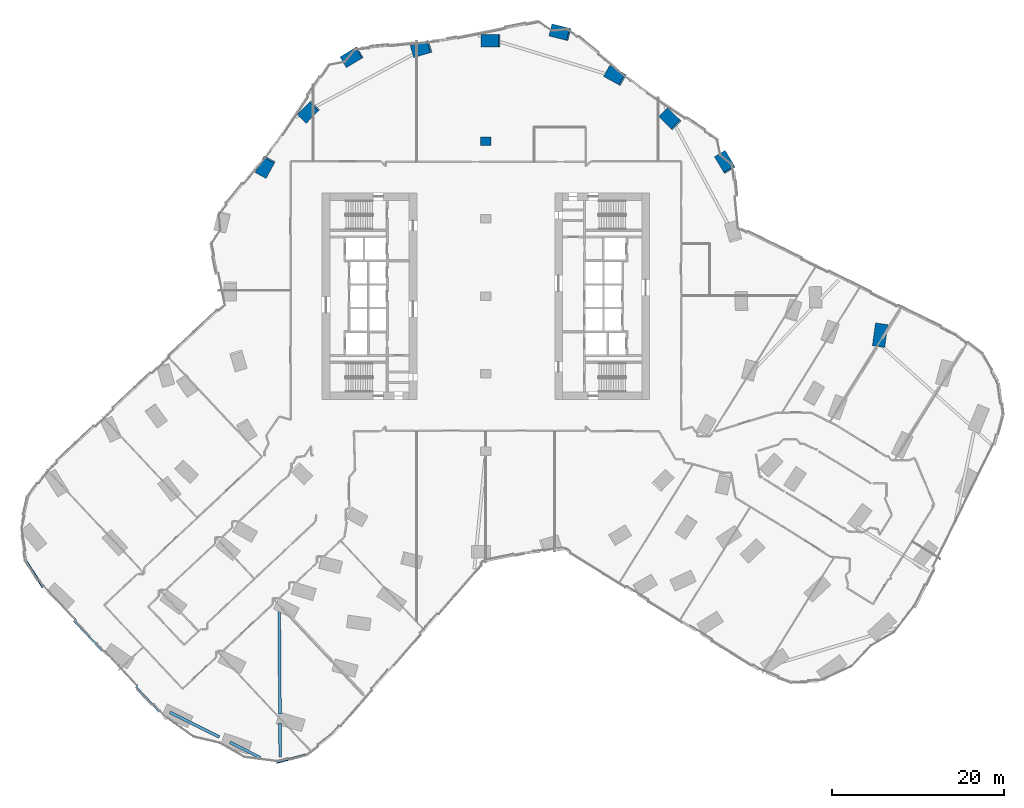
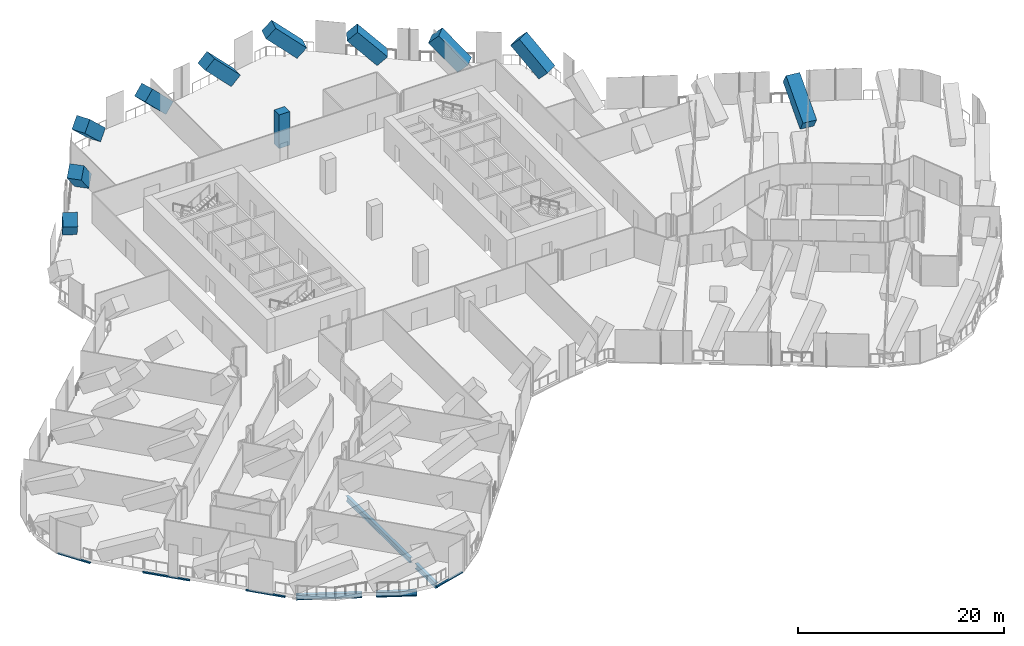
# One storey, part 2 of 31: 11 columns, 4 beams, 4 members, 3 elements without a shape of their own.
"""IFC4 building model written with IfcOpenShell, lengths in metres."""

from ifc_helpers import new_model, si_unit, direction, frame, origin, origin_2d, place, context, subcontext, project, spatial, rectangle, i_section, extrude, material, material_profile, profile_set, type_object, element, aggregate, save


model = new_model("IFC4")

# Units and contexts
model_context = context("Model", 3, precision=1e-05, world=origin(), true_north=direction((0.0, 1.0)))
body_context = subcontext(model_context, "Body", "Model", "MODEL_VIEW")
ifc_project = project(units=[si_unit("LENGTHUNIT", "METRE"), si_unit("AREAUNIT", "SQUARE_METRE"), si_unit("VOLUMEUNIT", "CUBIC_METRE"), si_unit("PLANEANGLEUNIT", "RADIAN"), si_unit("MASSUNIT", "GRAM", prefix="KILO")], contexts=[model_context])

# Site, building, storey
site_placement = place(None, origin())
site = spatial("IfcSite", under=ifc_project, at=site_placement, CompositionType="ELEMENT")
building_placement = place(site_placement, origin())
building = spatial("IfcBuilding", under=site, at=building_placement, Name="Orlundy Tower", CompositionType="ELEMENT")
storey_placement = place(building_placement, frame((0.0, 0.0, 54.800048828125)))
storey = spatial("IfcBuildingStorey", under=building, at=storey_placement, Name="L12", CompositionType="ELEMENT", Elevation=54.800048828125)

# Columns
ifc_material_1 = material(Name="Concrete C80/95", Category="concrete")
ifc_material_profile_1 = material_profile(ifc_material_1, rectangle(XDim=1.199951171875, YDim=1.0, at=origin_2d()), Name="RC1200X1000")
ifc_profile_set_1 = profile_set([ifc_material_profile_1], Name="Concrete C80/95")
column_type_1 = type_object("IfcColumnType", Name="RC COLUMN RC1200X1000 C80/95", PredefinedType="COLUMN", material=ifc_profile_set_1)
column_1_placement = place(storey_placement, frame((0.0, 18.0, 0.0), z_axis=(0.0, 0.0, 1.0), x_axis=(1.0, 0.0, 0.0)))
element("IfcColumn", 1, at=column_1_placement, inside=storey, type_object=column_type_1, Name="Column C-M5 L12", PredefinedType="COLUMN", context=body_context, shape_type="SweptSolid", body=[
    extrude(rectangle(XDim=1.199951171875, YDim=1.0, at=origin_2d()), origin(), (0.0, 0.0, 1.0), 4.0),
])
ifc_material_2 = material(Name="Concrete C80/95", Category="concrete")
ifc_material_profile_2 = material_profile(ifc_material_2, rectangle(XDim=1.449951171875, YDim=1.449951171875, at=origin_2d()), Name="RC1450X1450")
ifc_profile_set_2 = profile_set([ifc_material_profile_2], Name="Concrete C80/95")
column_type_2 = type_object("IfcColumnType", Name="RC COLUMN RC1450X1450 C80/95", PredefinedType="COLUMN", material=ifc_profile_set_2)
column_2_placement = place(storey_placement, frame((45.60400390625, -5.47802734375, 0.614501953125), z_axis=(0.118141081309, 0.839329969429, 0.530629708295), x_axis=(-0.990238625022, 0.139382443348, 0.0)))
element("IfcColumn", 2, at=column_2_placement, inside=storey, type_object=column_type_2, Name="Column C-A5-2 L12 strut", PredefinedType="COLUMN", context=body_context, shape_type="SweptSolid", body=[
    extrude(rectangle(XDim=1.449951171875, YDim=1.449951171875, at=origin_2d()), origin(), (0.0, 0.0, 1.0), 5.22216796875),
])
column_3_placement = place(storey_placement, frame((28.053955078125, 15.02099609375, 0.529541015625), z_axis=(-0.376150796059, 0.626275485165, 0.682854007315), x_axis=(-0.857260034443, -0.514883708566, 0.0)))
element("IfcColumn", 3, at=column_3_placement, inside=storey, type_object=column_type_2, Name="Column C-H01 L12 strut", PredefinedType="COLUMN", context=body_context, shape_type="SweptSolid", body=[
    extrude(rectangle(XDim=1.449951171875, YDim=1.449951171875, at=origin_2d()), origin(), (0.0, 0.0, 1.0), 4.306396484375),
])
column_4_placement = place(storey_placement, frame((-25.31298828125, 15.4951171875, 0.50830078125), z_axis=(-0.336025835882, -0.61545416164, 0.71295358372), x_axis=(0.877701520343, -0.479207722379, 0.0)))
element("IfcColumn", 4, at=column_4_placement, inside=storey, type_object=column_type_2, Name="Column C-H17 L12 strut", PredefinedType="COLUMN", context=body_context, shape_type="SweptSolid", body=[
    extrude(rectangle(XDim=1.449951171875, YDim=1.449951171875, at=origin_2d()), origin(), (0.0, 0.0, 1.0), 4.184326171875),
])
column_5_placement = place(storey_placement, frame((-20.1669921875, 21.77392578125, 0.50830078125), z_axis=(-0.490424057431, -0.501160289027, 0.712967466716), x_axis=(0.714720981693, -0.699409692761, 0.0)))
element("IfcColumn", 5, at=column_5_placement, inside=storey, type_object=column_type_2, Name="Column C-H18 L12 strut", PredefinedType="COLUMN", context=body_context, shape_type="SweptSolid", body=[
    extrude(rectangle(XDim=1.449951171875, YDim=1.449951171875, at=origin_2d()), origin(), (0.0, 0.0, 1.0), 4.18408203125),
])
column_6_placement = place(storey_placement, frame((-15.02099609375, 28.053955078125, 0.529541015625), z_axis=(-0.626275485165, -0.376150796059, 0.682854007315), x_axis=(0.514883708566, -0.857260034443, 0.0)))
element("IfcColumn", 6, at=column_6_placement, inside=storey, type_object=column_type_2, Name="Column C-H19 L12 strut", PredefinedType="COLUMN", context=body_context, shape_type="SweptSolid", body=[
    extrude(rectangle(XDim=1.449951171875, YDim=1.449951171875, at=origin_2d()), origin(), (0.0, 0.0, 1.0), 4.306396484375),
])
column_7_placement = place(storey_placement, frame((-6.94189453125, 28.85595703125, 0.508544921875), z_axis=(-0.672955189678, -0.197598545942, 0.712801604464), x_axis=(0.281733966191, -0.959492559791, 0.0)))
element("IfcColumn", 7, at=column_7_placement, inside=storey, type_object=column_type_2, Name="Column C-H20 L12 strut", PredefinedType="COLUMN", context=body_context, shape_type="SweptSolid", body=[
    extrude(rectangle(XDim=1.449951171875, YDim=1.449951171875, at=origin_2d()), origin(), (0.0, 0.0, 1.0), 4.184814453125),
])
column_8_placement = place(storey_placement, frame((1.135986328125, 29.656982421875, 0.50830078125), z_axis=(-0.701048970737, -0.007877610375, 0.713069620643), x_axis=(0.011236180934, -0.999936872126, 0.0)))
element("IfcColumn", 8, at=column_8_placement, inside=storey, type_object=column_type_2, Name="Column C-H21 L12 strut", PredefinedType="COLUMN", context=body_context, shape_type="SweptSolid", body=[
    extrude(rectangle(XDim=1.449951171875, YDim=1.449951171875, at=origin_2d()), origin(), (0.0, 0.0, 1.0), 4.183837890625),
])
column_9_placement = place(storey_placement, frame((9.215087890625, 30.458984375, 0.529541015625), z_axis=(-0.708756376313, 0.176721352289, 0.682959707948), x_axis=(-0.241932903281, -0.970292981686, 0.0)))
element("IfcColumn", 9, at=column_9_placement, inside=storey, type_object=column_type_2, Name="Column C-H22 L12 strut", PredefinedType="COLUMN", context=body_context, shape_type="SweptSolid", body=[
    extrude(rectangle(XDim=1.449951171875, YDim=1.449951171875, at=origin_2d()), origin(), (0.0, 0.0, 1.0), 4.30615234375),
])
column_10_placement = place(storey_placement, frame((15.4951171875, 25.31298828125, 0.50830078125), z_axis=(-0.61545416164, 0.336025835882, 0.71295358372), x_axis=(-0.479207722379, -0.877701520343, 0.0)))
element("IfcColumn", 10, at=column_10_placement, inside=storey, type_object=column_type_2, Name="Column C-H23 L12 strut", PredefinedType="COLUMN", context=body_context, shape_type="SweptSolid", body=[
    extrude(rectangle(XDim=1.449951171875, YDim=1.449951171875, at=origin_2d()), origin(), (0.0, 0.0, 1.0), 4.184326171875),
])
column_11_placement = place(storey_placement, frame((21.77392578125, 20.1669921875, 0.50830078125), z_axis=(-0.501160289027, 0.490424057431, 0.712967466716), x_axis=(-0.699409692761, -0.714720981693, 0.0)))
element("IfcColumn", 11, at=column_11_placement, inside=storey, type_object=column_type_2, Name="Column C-H24 L12 strut", PredefinedType="COLUMN", context=body_context, shape_type="SweptSolid", body=[
    extrude(rectangle(XDim=1.449951171875, YDim=1.449951171875, at=origin_2d()), origin(), (0.0, 0.0, 1.0), 4.18408203125),
])

# Beams
ifc_material_3 = material(Name="Steel ASTM A992 Gr 50", Category="steel")
ifc_material_profile_3 = material_profile(ifc_material_3, i_section(OverallWidth=0.3291015625, OverallDepth=0.635009765625, WebThickness=0.017822265625, FlangeThickness=0.031005859375, at=origin_2d()), Name="W24X162")
ifc_profile_set_3 = profile_set([ifc_material_profile_3], Name="Steel ASTM A992 Gr 50")
beam_type = type_object("IfcBeamType", Name="CANTILEVER GIRDER beam W24X162", PredefinedType="BEAM", material=ifc_profile_set_3)
beam_1_placement = place(storey_placement, frame((-23.844482421875, -53.4638671875, -0.717529296875), z_axis=(-0.007293211057, 0.999973404183, 0.0), x_axis=(-0.999973404183, -0.007293211057, 0.0)))
element("IfcBeam", 12, at=beam_1_placement, inside=storey, type_object=beam_type, Name="Cantilever girder C-B5-3 L12", PredefinedType="BEAM", context=body_context, shape_type="SweptSolid", body=[
    extrude(i_section(OverallWidth=0.3291015625, OverallDepth=0.635009765625, WebThickness=0.017822265625, FlangeThickness=0.031005859375, at=origin_2d()), origin(), (0.0, 0.0, 1.0), 3.949951171875),
])
beam_2_placement = place(storey_placement, frame((-23.880859375, -48.47412109375, -0.717529296875), z_axis=(-0.007254851724, 0.999973683217, 0.0), x_axis=(-0.999973683217, -0.007254851724, 0.0)))
element("IfcBeam", 13, at=beam_2_placement, inside=storey, type_object=beam_type, Name="Back-span girder C-B5-3 L12", PredefinedType="BEAM", context=body_context, shape_type="SweptSolid", body=[
    extrude(i_section(OverallWidth=0.3291015625, OverallDepth=0.635009765625, WebThickness=0.017822265625, FlangeThickness=0.031005859375, at=origin_2d()), origin(), (0.0, 0.0, 1.0), 12.249267578125),
])
beam_3_placement = place(storey_placement, frame((-26.1455078125, -53.52880859375, -0.717529296875), z_axis=(-0.89373387747, 0.448597543754, 0.0), x_axis=(-0.448597543754, -0.89373387747, 0.0)))
element("IfcBeam", 14, at=beam_3_placement, inside=storey, type_object=beam_type, Name="Cantilever girder C-B5-5 L12", PredefinedType="BEAM", context=body_context, shape_type="SweptSolid", body=[
    extrude(i_section(OverallWidth=0.3291015625, OverallDepth=0.635009765625, WebThickness=0.017822265625, FlangeThickness=0.031005859375, at=origin_2d()), origin(), (0.0, 0.0, 1.0), 3.949951171875),
])
beam_4_placement = place(storey_placement, frame((-30.922119140625, -51.131103515625, -0.717529296875), z_axis=(-0.893756879403, 0.448551714431, 0.0), x_axis=(-0.448551714431, -0.893756879403, 0.0)))
element("IfcBeam", 15, at=beam_4_placement, inside=storey, type_object=beam_type, Name="Back-span girder C-B5-5 L12", PredefinedType="BEAM", context=body_context, shape_type="SweptSolid", body=[
    extrude(i_section(OverallWidth=0.3291015625, OverallDepth=0.635009765625, WebThickness=0.017822265625, FlangeThickness=0.031005859375, at=origin_2d()), origin(), (0.0, 0.0, 1.0), 6.419921875),
])

# Curtain wall, member
ifc_material_4 = material(Name="Aluminium bronze anodised", Category="aluminium")
curtain_wall_type = type_object("IfcCurtainWallType", Name="CW5 wall", PredefinedType="NOTDEFINED", material=ifc_material_4)
curtain_wall_1_placement = place(storey_placement, origin())
curtain_wall_1 = element("IfcCurtainWall", 16, at=curtain_wall_1_placement, inside=storey, type_object=curtain_wall_type, Name="CW5 run 02", PredefinedType="NOTDEFINED")
ifc_material_5 = material(Name="Aluminium bronze anodised", Category="aluminium")
ifc_material_profile_4 = material_profile(ifc_material_5, rectangle(XDim=0.199951171875, YDim=0.139892578125, at=origin_2d()), Name="CW5 transom 200x140")
ifc_profile_set_4 = profile_set([ifc_material_profile_4], Name="Aluminium bronze anodised")
member_type = type_object("IfcMemberType", Name="CW5 transom 200x140", PredefinedType="USERDEFINED", material=ifc_profile_set_4)
member_1_placement = place(storey_placement, frame((-20.84521484375, -53.183349609375, -0.330078125), z_axis=(-0.96559177082, -0.260062554253, 0.0), x_axis=(0.260062554253, -0.96559177082, 0.0)))
member_1 = element("IfcMember", 17, at=member_1_placement, type_object=member_type, Name="CW5 transom", ObjectType="TRANSOM", PredefinedType="USERDEFINED", context=body_context, shape_type="SweptSolid", body=[
    extrude(rectangle(XDim=0.199951171875, YDim=0.139892578125, at=origin_2d()), origin(), (0.0, 0.0, 1.0), 3.538330078125),
])
aggregate(curtain_wall_1, [member_1])

# Curtain wall, members
curtain_wall_2_placement = place(storey_placement, origin())
curtain_wall_2 = element("IfcCurtainWall", 18, at=curtain_wall_2_placement, inside=storey, type_object=curtain_wall_type, Name="CW5 run 07", PredefinedType="NOTDEFINED")
member_2_placement = place(storey_placement, frame((-37.85302734375, -48.22412109375, -0.330078125), z_axis=(-0.68410955515, 0.729379267976, 0.0), x_axis=(-0.729379267976, -0.68410955515, 0.0)))
member_2 = element("IfcMember", 19, at=member_2_placement, type_object=member_type, Name="CW5 transom", ObjectType="TRANSOM", PredefinedType="USERDEFINED", context=body_context, shape_type="SweptSolid", body=[
    extrude(rectangle(XDim=0.199951171875, YDim=0.139892578125, at=origin_2d()), origin(), (0.0, 0.0, 1.0), 4.001708984375),
])
member_3_placement = place(storey_placement, frame((-44.489013671875, -41.149169921875, -0.330078125), z_axis=(-0.684145743104, 0.729345324378, 0.0), x_axis=(-0.729345324378, -0.684145743104, 0.0)))
member_3 = element("IfcMember", 20, at=member_3_placement, type_object=member_type, Name="CW5 transom", ObjectType="TRANSOM", PredefinedType="USERDEFINED", context=body_context, shape_type="SweptSolid", body=[
    extrude(rectangle(XDim=0.199951171875, YDim=0.139892578125, at=origin_2d()), origin(), (0.0, 0.0, 1.0), 4.8017578125),
])
aggregate(curtain_wall_2, [member_2, member_3])

# Curtain wall, member
curtain_wall_3_placement = place(storey_placement, origin())
curtain_wall_3 = element("IfcCurtainWall", 21, at=curtain_wall_3_placement, inside=storey, type_object=curtain_wall_type, Name="CW5 run 08", PredefinedType="NOTDEFINED")
member_4_placement = place(storey_placement, frame((-51.40283203125, -33.77099609375, -0.330078125), z_axis=(-0.52879244337, 0.848751171919, 0.0), x_axis=(-0.848751171919, -0.52879244337, 0.0)))
member_4 = element("IfcMember", 22, at=member_4_placement, type_object=member_type, Name="CW5 transom", ObjectType="TRANSOM", PredefinedType="USERDEFINED", context=body_context, shape_type="SweptSolid", body=[
    extrude(rectangle(XDim=0.199951171875, YDim=0.139892578125, at=origin_2d()), origin(), (0.0, 0.0, 1.0), 3.60302734375),
])
aggregate(curtain_wall_3, [member_4])

save(model, "model.ifc")
